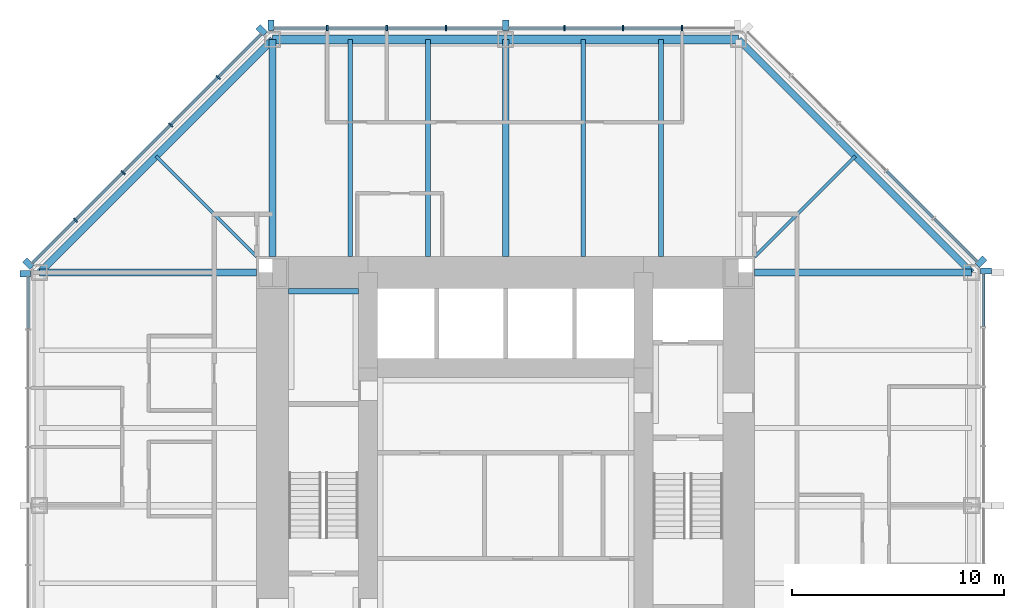
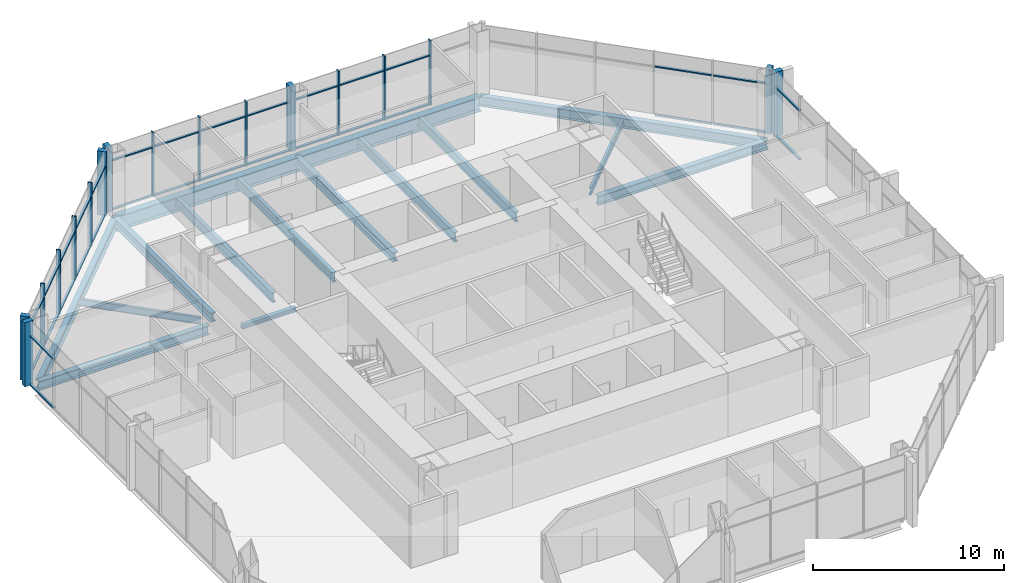
# One storey, part 5 of 12: 49 members, 15 beams, 5 elements without a shape of their own.
"""IFC4 building model written with IfcOpenShell, lengths in metres."""

from ifc_helpers import new_model, si_unit, direction, frame, origin, origin_2d, place, context, subcontext, project, spatial, rectangle, i_section, extrude, material, material_profile, profile_set, type_object, element, aggregate, save


model = new_model("IFC4")

# Units and contexts
model_context = context("Model", 3, precision=1e-05, world=origin(), true_north=direction((0.0, 1.0)))
body_context = subcontext(model_context, "Body", "Model", "MODEL_VIEW")
ifc_project = project(units=[si_unit("LENGTHUNIT", "METRE"), si_unit("AREAUNIT", "SQUARE_METRE"), si_unit("VOLUMEUNIT", "CUBIC_METRE"), si_unit("PLANEANGLEUNIT", "RADIAN"), si_unit("MASSUNIT", "GRAM", prefix="KILO")], contexts=[model_context])

# Site, building, storey
site_placement = place(None, origin())
site = spatial("IfcSite", under=ifc_project, at=site_placement, CompositionType="ELEMENT")
building_placement = place(site_placement, origin())
building = spatial("IfcBuilding", under=site, at=building_placement, Name="Trevanion Tower", CompositionType="ELEMENT")
storey_placement = place(building_placement, frame((0.0, 0.0, 145.89990234375)))
storey = spatial("IfcBuildingStorey", under=building, at=storey_placement, Name="L34", CompositionType="ELEMENT", Elevation=145.89990234375)

# Beams
ifc_material_1 = material(Name="Steel ASTM A992 Grade 50", Category="steel")
ifc_material_profile_1 = material_profile(ifc_material_1, i_section(OverallWidth=0.22900390625, OverallDepth=0.612060546875, WebThickness=0.011962890625, FlangeThickness=0.01953125, at=origin_2d()), Name="W24X84")
ifc_profile_set_1 = profile_set([ifc_material_profile_1], Name="Steel ASTM A992 Grade 50")
beam_type_1 = type_object("IfcBeamType", Name="B7 W24X84", PredefinedType="BEAM", material=ifc_profile_set_1)
for number, where, z_axis, x_axis, name in (
    (1, (7.333251953125, 11.75, -0.49609375), (0.0, 1.0, 0.0), (-1.0, 0.0, 0.0), "B7 L34"),
    (2, (3.666748046875, 11.75, -0.49609375), (0.0, 1.0, 0.0), (-1.0, 0.0, 0.0), "B7 L34"),
    (3, (-3.666748046875, 11.75, -0.49609375), (0.0, 1.0, 0.0), (-1.0, 0.0, 0.0), "B7 L34"),
    (4, (-7.333251953125, 11.75, -0.49609375), (0.0, 1.0, 0.0), (-1.0, 0.0, 0.0), "B7 L34"),
):
    element("IfcBeam", number, at=place(storey_placement, frame(where, z_axis=z_axis, x_axis=x_axis)), inside=storey, type_object=beam_type_1, Name=name, PredefinedType="BEAM", context=body_context, shape_type="SweptSolid", body=[
        extrude(i_section(OverallWidth=0.22900390625, OverallDepth=0.612060546875, WebThickness=0.011962890625, FlangeThickness=0.01953125, at=origin_2d()), origin(), (0.0, 0.0, 1.0), 10.25),
    ])
ifc_material_2 = material(Name="Steel ASTM A992 Grade 50", Category="steel")
ifc_material_profile_2 = material_profile(ifc_material_2, i_section(OverallWidth=0.15234375, OverallDepth=0.449462890625, WebThickness=0.007568359375, FlangeThickness=0.0107421875, at=origin_2d()), Name="W18X35")
ifc_profile_set_2 = profile_set([ifc_material_profile_2], Name="Steel ASTM A992 Grade 50")
beam_type_2 = type_object("IfcBeamType", Name="B8 W18X35", PredefinedType="BEAM", material=ifc_profile_set_2)
for number, where, z_axis, x_axis, name in (
    (5, (11.75, 11.75, -0.414794921875), (0.707106781187, 0.707106781187, 0.0), (-0.707106781187, 0.707106781187, 0.0), "B8 L34"),
    (6, (-11.75, 11.75, -0.414794921875), (-0.707106781187, 0.707106781187, 0.0), (-0.707106781187, -0.707106781187, 0.0), "B8 L34"),
):
    element("IfcBeam", number, at=place(storey_placement, frame(where, z_axis=z_axis, x_axis=x_axis)), inside=storey, type_object=beam_type_2, Name=name, PredefinedType="BEAM", context=body_context, shape_type="SweptSolid", body=[
        extrude(i_section(OverallWidth=0.15234375, OverallDepth=0.449462890625, WebThickness=0.007568359375, FlangeThickness=0.0107421875, at=origin_2d()), origin(), (0.0, 0.0, 1.0), 6.717529296875),
    ])

# Curtain wall, members
ifc_material_3 = material(Name="Aluminium and glass", Category="aluminium")
curtain_wall_type = type_object("IfcCurtainWallType", Name="CW2 curtain wall", PredefinedType="USERDEFINED", material=ifc_material_3)
curtain_wall_1_placement = place(storey_placement, origin())
curtain_wall_1 = element("IfcCurtainWall", 7, at=curtain_wall_1_placement, inside=storey, type_object=curtain_wall_type, Name="CW2 L34 2", ObjectType="UNITISED CURTAIN WALL", PredefinedType="USERDEFINED")
ifc_material_4 = material(Name="Aluminium extrusion, anodised bronze", Category="aluminium")
ifc_material_profile_3 = material_profile(ifc_material_4, rectangle(XDim=0.074951171875, YDim=0.25, at=origin_2d()), Name="CW2 mullion")
ifc_profile_set_3 = profile_set([ifc_material_profile_3], Name="Aluminium extrusion, anodised bronze")
member_type_1 = type_object("IfcMemberType", Name="CW2 mullion", PredefinedType="MULLION", material=ifc_profile_set_3)
member_1_placement = place(storey_placement, frame((8.323486328125, 22.550048828125, -0.18994140625), z_axis=(0.0, 0.0, 1.0), x_axis=(-1.0, 0.0, 0.0)))
member_1 = element("IfcMember", 8, at=member_1_placement, type_object=member_type_1, Name="CW2 mullion 2", PredefinedType="MULLION", context=body_context, shape_type="SweptSolid", body=[
    extrude(rectangle(XDim=0.074951171875, YDim=0.25, at=origin_2d()), origin(), (0.0, 0.0, 1.0), 4.10009765625),
])
member_2_placement = place(storey_placement, frame((5.548828125, 22.550048828125, -0.18994140625), z_axis=(0.0, 0.0, 1.0), x_axis=(-1.0, 0.0, 0.0)))
member_2 = element("IfcMember", 9, at=member_2_placement, type_object=member_type_1, Name="CW2 mullion 3", PredefinedType="MULLION", context=body_context, shape_type="SweptSolid", body=[
    extrude(rectangle(XDim=0.074951171875, YDim=0.25, at=origin_2d()), origin(), (0.0, 0.0, 1.0), 4.10009765625),
])
member_3_placement = place(storey_placement, frame((2.7744140625, 22.550048828125, -0.18994140625), z_axis=(0.0, 0.0, 1.0), x_axis=(-1.0, 0.0, 0.0)))
member_3 = element("IfcMember", 10, at=member_3_placement, type_object=member_type_1, Name="CW2 mullion 4", PredefinedType="MULLION", context=body_context, shape_type="SweptSolid", body=[
    extrude(rectangle(XDim=0.074951171875, YDim=0.25, at=origin_2d()), origin(), (0.0, 0.0, 1.0), 4.10009765625),
])
member_4_placement = place(storey_placement, frame((-2.806884765625, 22.550048828125, -0.18994140625), z_axis=(0.0, 0.0, 1.0), x_axis=(-1.0, 0.0, 0.0)))
member_4 = element("IfcMember", 11, at=member_4_placement, type_object=member_type_1, Name="CW2 mullion 6", PredefinedType="MULLION", context=body_context, shape_type="SweptSolid", body=[
    extrude(rectangle(XDim=0.074951171875, YDim=0.25, at=origin_2d()), origin(), (0.0, 0.0, 1.0), 4.10009765625),
])
member_5_placement = place(storey_placement, frame((-5.614013671875, 22.550048828125, -0.18994140625), z_axis=(0.0, 0.0, 1.0), x_axis=(-1.0, 0.0, 0.0)))
member_5 = element("IfcMember", 12, at=member_5_placement, type_object=member_type_1, Name="CW2 mullion 7", PredefinedType="MULLION", context=body_context, shape_type="SweptSolid", body=[
    extrude(rectangle(XDim=0.074951171875, YDim=0.25, at=origin_2d()), origin(), (0.0, 0.0, 1.0), 4.10009765625),
])
member_6_placement = place(storey_placement, frame((-8.4208984375, 22.550048828125, -0.18994140625), z_axis=(0.0, 0.0, 1.0), x_axis=(-1.0, 0.0, 0.0)))
member_6 = element("IfcMember", 13, at=member_6_placement, type_object=member_type_1, Name="CW2 mullion 8", PredefinedType="MULLION", context=body_context, shape_type="SweptSolid", body=[
    extrude(rectangle(XDim=0.074951171875, YDim=0.25, at=origin_2d()), origin(), (0.0, 0.0, 1.0), 4.10009765625),
])

curtain_wall_2_placement = place(storey_placement, origin())
curtain_wall_2 = element("IfcCurtainWall", 14, at=curtain_wall_2_placement, inside=storey, type_object=curtain_wall_type, Name="CW2 L34 3", ObjectType="UNITISED CURTAIN WALL", PredefinedType="USERDEFINED")
member_7_placement = place(storey_placement, frame((-13.56591796875, 20.2119140625, -0.18994140625), z_axis=(0.0, 0.0, 1.0), x_axis=(-0.707106781187, -0.707106781187, 0.0)))
member_7 = element("IfcMember", 15, at=member_7_placement, type_object=member_type_1, Name="CW2 mullion 2", PredefinedType="MULLION", context=body_context, shape_type="SweptSolid", body=[
    extrude(rectangle(XDim=0.074951171875, YDim=0.25, at=origin_2d()), origin(), (0.0, 0.0, 1.0), 4.10009765625),
])
member_8_placement = place(storey_placement, frame((-15.811767578125, 17.966064453125, -0.18994140625), z_axis=(0.0, 0.0, 1.0), x_axis=(-0.707106781187, -0.707106781187, 0.0)))
member_8 = element("IfcMember", 16, at=member_8_placement, type_object=member_type_1, Name="CW2 mullion 3", PredefinedType="MULLION", context=body_context, shape_type="SweptSolid", body=[
    extrude(rectangle(XDim=0.074951171875, YDim=0.25, at=origin_2d()), origin(), (0.0, 0.0, 1.0), 4.10009765625),
])
member_9_placement = place(storey_placement, frame((-18.057861328125, 15.719970703125, -0.18994140625), z_axis=(0.0, 0.0, 1.0), x_axis=(-0.707106781187, -0.707106781187, 0.0)))
member_9 = element("IfcMember", 17, at=member_9_placement, type_object=member_type_1, Name="CW2 mullion 4", PredefinedType="MULLION", context=body_context, shape_type="SweptSolid", body=[
    extrude(rectangle(XDim=0.074951171875, YDim=0.25, at=origin_2d()), origin(), (0.0, 0.0, 1.0), 4.10009765625),
])
member_10_placement = place(storey_placement, frame((-20.303955078125, 13.473876953125, -0.18994140625), z_axis=(0.0, 0.0, 1.0), x_axis=(-0.707106781187, -0.707106781187, 0.0)))
member_10 = element("IfcMember", 18, at=member_10_placement, type_object=member_type_1, Name="CW2 mullion 5", PredefinedType="MULLION", context=body_context, shape_type="SweptSolid", body=[
    extrude(rectangle(XDim=0.074951171875, YDim=0.25, at=origin_2d()), origin(), (0.0, 0.0, 1.0), 4.10009765625),
])

# Curtain wall, member
curtain_wall_3_placement = place(storey_placement, origin())
curtain_wall_3 = element("IfcCurtainWall", 19, at=curtain_wall_3_placement, inside=storey, type_object=curtain_wall_type, Name="CW2 L34 0", ObjectType="UNITISED CURTAIN WALL", PredefinedType="USERDEFINED")
ifc_material_5 = material(Name="Aluminium extrusion, anodised bronze", Category="aluminium")
ifc_material_profile_4 = material_profile(ifc_material_5, rectangle(XDim=0.300048828125, YDim=0.5, at=origin_2d()), Name="CW2 pier mullion")
ifc_profile_set_4 = profile_set([ifc_material_profile_4], Name="Aluminium extrusion, anodised bronze")
member_type_2 = type_object("IfcMemberType", Name="CW2 pier mullion", PredefinedType="MULLION", material=ifc_profile_set_4)
member_11_placement = place(storey_placement, frame((22.675048828125, 11.077880859375, -0.18994140625), z_axis=(0.0, 0.0, 1.0), x_axis=(0.0, 1.0, 0.0)))
member_11 = element("IfcMember", 20, at=member_11_placement, type_object=member_type_2, Name="CW2 pier mullion 9", PredefinedType="MULLION", context=body_context, shape_type="SweptSolid", body=[
    extrude(rectangle(XDim=0.300048828125, YDim=0.5, at=origin_2d()), origin(), (0.0, 0.0, 1.0), 4.10009765625),
])

curtain_wall_4_placement = place(storey_placement, origin())
curtain_wall_4 = element("IfcCurtainWall", 21, at=curtain_wall_4_placement, inside=storey, type_object=curtain_wall_type, Name="CW2 L34 1", ObjectType="UNITISED CURTAIN WALL", PredefinedType="USERDEFINED")
member_12_placement = place(storey_placement, frame((22.4404296875, 11.51416015625, -0.18994140625), z_axis=(0.0, 0.0, 1.0), x_axis=(-0.707106781187, 0.707106781187, 0.0)))
member_12 = element("IfcMember", 22, at=member_12_placement, type_object=member_type_2, Name="CW2 pier mullion 1", PredefinedType="MULLION", context=body_context, shape_type="SweptSolid", body=[
    extrude(rectangle(XDim=0.300048828125, YDim=0.5, at=origin_2d()), origin(), (0.0, 0.0, 1.0), 4.10009765625),
])

# Member
member_13_placement = place(storey_placement, frame((0.0, 22.675048828125, -0.18994140625), z_axis=(0.0, 0.0, 1.0), x_axis=(-1.0, 0.0, 0.0)))
member_13 = element("IfcMember", 23, at=member_13_placement, type_object=member_type_2, Name="CW2 pier mullion 5", PredefinedType="MULLION", context=body_context, shape_type="SweptSolid", body=[
    extrude(rectangle(XDim=0.300048828125, YDim=0.5, at=origin_2d()), origin(), (0.0, 0.0, 1.0), 4.10009765625),
])

member_14_placement = place(storey_placement, frame((-11.077880859375, 22.675048828125, -0.18994140625), z_axis=(0.0, 0.0, 1.0), x_axis=(-1.0, 0.0, 0.0)))
member_14 = element("IfcMember", 24, at=member_14_placement, type_object=member_type_2, Name="CW2 pier mullion 9", PredefinedType="MULLION", context=body_context, shape_type="SweptSolid", body=[
    extrude(rectangle(XDim=0.300048828125, YDim=0.5, at=origin_2d()), origin(), (0.0, 0.0, 1.0), 4.10009765625),
])

member_15_placement = place(storey_placement, frame((-11.51416015625, 22.4404296875, -0.18994140625), z_axis=(0.0, 0.0, 1.0), x_axis=(-0.707106781187, -0.707106781187, 0.0)))
member_15 = element("IfcMember", 25, at=member_15_placement, type_object=member_type_2, Name="CW2 pier mullion 1", PredefinedType="MULLION", context=body_context, shape_type="SweptSolid", body=[
    extrude(rectangle(XDim=0.300048828125, YDim=0.5, at=origin_2d()), origin(), (0.0, 0.0, 1.0), 4.10009765625),
])

member_16_placement = place(storey_placement, frame((-22.5322265625, 11.42236328125, -0.18994140625), z_axis=(0.0, 0.0, 1.0), x_axis=(-0.707106781187, -0.707106781187, 0.0)))
member_16 = element("IfcMember", 26, at=member_16_placement, type_object=member_type_2, Name="CW2 pier mullion 6", PredefinedType="MULLION", context=body_context, shape_type="SweptSolid", body=[
    extrude(rectangle(XDim=0.300048828125, YDim=0.5, at=origin_2d()), origin(), (0.0, 0.0, 1.0), 4.10009765625),
])

# Curtain wall, member
curtain_wall_5_placement = place(storey_placement, origin())
curtain_wall_5 = element("IfcCurtainWall", 27, at=curtain_wall_5_placement, inside=storey, type_object=curtain_wall_type, Name="CW2 L34 4", ObjectType="UNITISED CURTAIN WALL", PredefinedType="USERDEFINED")
member_17_placement = place(storey_placement, frame((-22.675048828125, 10.94775390625, -0.18994140625), z_axis=(0.0, 0.0, 1.0), x_axis=(0.0, -1.0, 0.0)))
member_17 = element("IfcMember", 28, at=member_17_placement, type_object=member_type_2, Name="CW2 pier mullion 1", PredefinedType="MULLION", context=body_context, shape_type="SweptSolid", body=[
    extrude(rectangle(XDim=0.300048828125, YDim=0.5, at=origin_2d()), origin(), (0.0, 0.0, 1.0), 4.10009765625),
])

# Member
ifc_material_6 = material(Name="Aluminium extrusion, anodised bronze", Category="aluminium")
ifc_material_profile_5 = material_profile(ifc_material_6, rectangle(XDim=0.14990234375, YDim=0.074951171875, at=origin_2d()), Name="CW2 transom")
ifc_profile_set_5 = profile_set([ifc_material_profile_5], Name="Aluminium extrusion, anodised bronze")
member_type_3 = type_object("IfcMemberType", Name="CW2 transom", PredefinedType="USERDEFINED", material=ifc_profile_set_5)
member_18_placement = place(storey_placement, frame((22.550048828125, 8.45849609375, -0.15234375), z_axis=(0.0, 1.0, 0.0), x_axis=(-1.0, 0.0, 0.0)))
member_18 = element("IfcMember", 29, at=member_18_placement, type_object=member_type_3, Name="CW2 transom 8.1", ObjectType="TRANSOM", PredefinedType="USERDEFINED", context=body_context, shape_type="SweptSolid", body=[
    extrude(rectangle(XDim=0.14990234375, YDim=0.074951171875, at=origin_2d()), origin(), (0.0, 0.0, 1.0), 2.46923828125),
])

member_19_placement = place(storey_placement, frame((22.550048828125, 8.45849609375, 2.960205078125), z_axis=(0.0, 1.0, 0.0), x_axis=(-1.0, 0.0, 0.0)))
member_19 = element("IfcMember", 30, at=member_19_placement, type_object=member_type_3, Name="CW2 transom 8.2", ObjectType="TRANSOM", PredefinedType="USERDEFINED", context=body_context, shape_type="SweptSolid", body=[
    extrude(rectangle(XDim=0.14990234375, YDim=0.074951171875, at=origin_2d()), origin(), (0.0, 0.0, 1.0), 2.46923828125),
])

aggregate(curtain_wall_3, [member_11, member_18, member_19])

member_20_placement = place(storey_placement, frame((22.245849609375, 11.531982421875, -0.15234375), z_axis=(-0.707106781187, 0.707106781187, 0.0), x_axis=(-0.707106781187, -0.707106781187, 0.0)))
member_20 = element("IfcMember", 31, at=member_20_placement, type_object=member_type_3, Name="CW2 transom 1.1", ObjectType="TRANSOM", PredefinedType="USERDEFINED", context=body_context, shape_type="SweptSolid", body=[
    extrude(rectangle(XDim=0.14990234375, YDim=0.074951171875, at=origin_2d()), origin(), (0.0, 0.0, 1.0), 2.8388671875),
])

member_21_placement = place(storey_placement, frame((22.245849609375, 11.531982421875, 2.960205078125), z_axis=(-0.707106781187, 0.707106781187, 0.0), x_axis=(-0.707106781187, -0.707106781187, 0.0)))
member_21 = element("IfcMember", 32, at=member_21_placement, type_object=member_type_3, Name="CW2 transom 1.2", ObjectType="TRANSOM", PredefinedType="USERDEFINED", context=body_context, shape_type="SweptSolid", body=[
    extrude(rectangle(XDim=0.14990234375, YDim=0.074951171875, at=origin_2d()), origin(), (0.0, 0.0, 1.0), 2.8388671875),
])

member_22_placement = place(storey_placement, frame((20.185546875, 13.59228515625, -0.15234375), z_axis=(-0.707106781187, 0.707106781187, 0.0), x_axis=(-0.707106781187, -0.707106781187, 0.0)))
member_22 = element("IfcMember", 33, at=member_22_placement, type_object=member_type_3, Name="CW2 transom 2.1", ObjectType="TRANSOM", PredefinedType="USERDEFINED", context=body_context, shape_type="SweptSolid", body=[
    extrude(rectangle(XDim=0.14990234375, YDim=0.074951171875, at=origin_2d()), origin(), (0.0, 0.0, 1.0), 3.1015625),
])

member_23_placement = place(storey_placement, frame((20.185546875, 13.59228515625, 2.960205078125), z_axis=(-0.707106781187, 0.707106781187, 0.0), x_axis=(-0.707106781187, -0.707106781187, 0.0)))
member_23 = element("IfcMember", 34, at=member_23_placement, type_object=member_type_3, Name="CW2 transom 2.2", ObjectType="TRANSOM", PredefinedType="USERDEFINED", context=body_context, shape_type="SweptSolid", body=[
    extrude(rectangle(XDim=0.14990234375, YDim=0.074951171875, at=origin_2d()), origin(), (0.0, 0.0, 1.0), 3.1015625),
])

aggregate(curtain_wall_4, [member_12, member_20, member_21, member_22, member_23])

member_24_placement = place(storey_placement, frame((8.285888671875, 22.550048828125, -0.15234375), z_axis=(-1.0, 0.0, 0.0), x_axis=(0.0, -1.0, 0.0)))
member_24 = element("IfcMember", 35, at=member_24_placement, type_object=member_type_3, Name="CW2 transom 2.1", ObjectType="TRANSOM", PredefinedType="USERDEFINED", context=body_context, shape_type="SweptSolid", body=[
    extrude(rectangle(XDim=0.14990234375, YDim=0.074951171875, at=origin_2d()), origin(), (0.0, 0.0, 1.0), 2.699462890625),
])

member_25_placement = place(storey_placement, frame((8.285888671875, 22.550048828125, 2.960205078125), z_axis=(-1.0, 0.0, 0.0), x_axis=(0.0, -1.0, 0.0)))
member_25 = element("IfcMember", 36, at=member_25_placement, type_object=member_type_3, Name="CW2 transom 2.2", ObjectType="TRANSOM", PredefinedType="USERDEFINED", context=body_context, shape_type="SweptSolid", body=[
    extrude(rectangle(XDim=0.14990234375, YDim=0.074951171875, at=origin_2d()), origin(), (0.0, 0.0, 1.0), 2.699462890625),
])

member_26_placement = place(storey_placement, frame((5.511474609375, 22.550048828125, -0.15234375), z_axis=(-1.0, 0.0, 0.0), x_axis=(0.0, -1.0, 0.0)))
member_26 = element("IfcMember", 37, at=member_26_placement, type_object=member_type_3, Name="CW2 transom 3.1", ObjectType="TRANSOM", PredefinedType="USERDEFINED", context=body_context, shape_type="SweptSolid", body=[
    extrude(rectangle(XDim=0.14990234375, YDim=0.074951171875, at=origin_2d()), origin(), (0.0, 0.0, 1.0), 2.699462890625),
])

member_27_placement = place(storey_placement, frame((5.511474609375, 22.550048828125, 2.960205078125), z_axis=(-1.0, 0.0, 0.0), x_axis=(0.0, -1.0, 0.0)))
member_27 = element("IfcMember", 38, at=member_27_placement, type_object=member_type_3, Name="CW2 transom 3.2", ObjectType="TRANSOM", PredefinedType="USERDEFINED", context=body_context, shape_type="SweptSolid", body=[
    extrude(rectangle(XDim=0.14990234375, YDim=0.074951171875, at=origin_2d()), origin(), (0.0, 0.0, 1.0), 2.699462890625),
])

member_28_placement = place(storey_placement, frame((2.737060546875, 22.550048828125, -0.15234375), z_axis=(-1.0, 0.0, 0.0), x_axis=(0.0, -1.0, 0.0)))
member_28 = element("IfcMember", 39, at=member_28_placement, type_object=member_type_3, Name="CW2 transom 4.1", ObjectType="TRANSOM", PredefinedType="USERDEFINED", context=body_context, shape_type="SweptSolid", body=[
    extrude(rectangle(XDim=0.14990234375, YDim=0.074951171875, at=origin_2d()), origin(), (0.0, 0.0, 1.0), 2.587158203125),
])

member_29_placement = place(storey_placement, frame((2.737060546875, 22.550048828125, 2.960205078125), z_axis=(-1.0, 0.0, 0.0), x_axis=(0.0, -1.0, 0.0)))
member_29 = element("IfcMember", 40, at=member_29_placement, type_object=member_type_3, Name="CW2 transom 4.2", ObjectType="TRANSOM", PredefinedType="USERDEFINED", context=body_context, shape_type="SweptSolid", body=[
    extrude(rectangle(XDim=0.14990234375, YDim=0.074951171875, at=origin_2d()), origin(), (0.0, 0.0, 1.0), 2.587158203125),
])

member_30_placement = place(storey_placement, frame((-0.14990234375, 22.550048828125, -0.15234375), z_axis=(-1.0, 0.0, 0.0), x_axis=(0.0, -1.0, 0.0)))
member_30 = element("IfcMember", 41, at=member_30_placement, type_object=member_type_3, Name="CW2 transom 5.1", ObjectType="TRANSOM", PredefinedType="USERDEFINED", context=body_context, shape_type="SweptSolid", body=[
    extrude(rectangle(XDim=0.14990234375, YDim=0.074951171875, at=origin_2d()), origin(), (0.0, 0.0, 1.0), 2.619384765625),
])

member_31_placement = place(storey_placement, frame((-0.14990234375, 22.550048828125, 2.960205078125), z_axis=(-1.0, 0.0, 0.0), x_axis=(0.0, -1.0, 0.0)))
member_31 = element("IfcMember", 42, at=member_31_placement, type_object=member_type_3, Name="CW2 transom 5.2", ObjectType="TRANSOM", PredefinedType="USERDEFINED", context=body_context, shape_type="SweptSolid", body=[
    extrude(rectangle(XDim=0.14990234375, YDim=0.074951171875, at=origin_2d()), origin(), (0.0, 0.0, 1.0), 2.619384765625),
])

member_32_placement = place(storey_placement, frame((-2.844482421875, 22.550048828125, -0.15234375), z_axis=(-1.0, 0.0, 0.0), x_axis=(0.0, -1.0, 0.0)))
member_32 = element("IfcMember", 43, at=member_32_placement, type_object=member_type_3, Name="CW2 transom 6.1", ObjectType="TRANSOM", PredefinedType="USERDEFINED", context=body_context, shape_type="SweptSolid", body=[
    extrude(rectangle(XDim=0.14990234375, YDim=0.074951171875, at=origin_2d()), origin(), (0.0, 0.0, 1.0), 2.73193359375),
])

member_33_placement = place(storey_placement, frame((-2.844482421875, 22.550048828125, 2.960205078125), z_axis=(-1.0, 0.0, 0.0), x_axis=(0.0, -1.0, 0.0)))
member_33 = element("IfcMember", 44, at=member_33_placement, type_object=member_type_3, Name="CW2 transom 6.2", ObjectType="TRANSOM", PredefinedType="USERDEFINED", context=body_context, shape_type="SweptSolid", body=[
    extrude(rectangle(XDim=0.14990234375, YDim=0.074951171875, at=origin_2d()), origin(), (0.0, 0.0, 1.0), 2.73193359375),
])

member_34_placement = place(storey_placement, frame((-5.6513671875, 22.550048828125, -0.15234375), z_axis=(-1.0, 0.0, 0.0), x_axis=(0.0, -1.0, 0.0)))
member_34 = element("IfcMember", 45, at=member_34_placement, type_object=member_type_3, Name="CW2 transom 7.1", ObjectType="TRANSOM", PredefinedType="USERDEFINED", context=body_context, shape_type="SweptSolid", body=[
    extrude(rectangle(XDim=0.14990234375, YDim=0.074951171875, at=origin_2d()), origin(), (0.0, 0.0, 1.0), 2.73193359375),
])

member_35_placement = place(storey_placement, frame((-5.6513671875, 22.550048828125, 2.960205078125), z_axis=(-1.0, 0.0, 0.0), x_axis=(0.0, -1.0, 0.0)))
member_35 = element("IfcMember", 46, at=member_35_placement, type_object=member_type_3, Name="CW2 transom 7.2", ObjectType="TRANSOM", PredefinedType="USERDEFINED", context=body_context, shape_type="SweptSolid", body=[
    extrude(rectangle(XDim=0.14990234375, YDim=0.074951171875, at=origin_2d()), origin(), (0.0, 0.0, 1.0), 2.73193359375),
])

member_36_placement = place(storey_placement, frame((-8.45849609375, 22.550048828125, -0.15234375), z_axis=(-1.0, 0.0, 0.0), x_axis=(0.0, -1.0, 0.0)))
member_36 = element("IfcMember", 47, at=member_36_placement, type_object=member_type_3, Name="CW2 transom 8.1", ObjectType="TRANSOM", PredefinedType="USERDEFINED", context=body_context, shape_type="SweptSolid", body=[
    extrude(rectangle(XDim=0.14990234375, YDim=0.074951171875, at=origin_2d()), origin(), (0.0, 0.0, 1.0), 2.46923828125),
])

member_37_placement = place(storey_placement, frame((-8.45849609375, 22.550048828125, 2.960205078125), z_axis=(-1.0, 0.0, 0.0), x_axis=(0.0, -1.0, 0.0)))
member_37 = element("IfcMember", 48, at=member_37_placement, type_object=member_type_3, Name="CW2 transom 8.2", ObjectType="TRANSOM", PredefinedType="USERDEFINED", context=body_context, shape_type="SweptSolid", body=[
    extrude(rectangle(XDim=0.14990234375, YDim=0.074951171875, at=origin_2d()), origin(), (0.0, 0.0, 1.0), 2.46923828125),
])

aggregate(curtain_wall_1, [member_1, member_2, member_3, member_13, member_4, member_5, member_6, member_14, member_24, member_25, member_26, member_27, member_28, member_29, member_30, member_31, member_32, member_33, member_34, member_35, member_36, member_37])

member_38_placement = place(storey_placement, frame((-11.531982421875, 22.245849609375, -0.15234375), z_axis=(-0.707106781187, -0.707106781187, 0.0), x_axis=(0.707106781187, -0.707106781187, 0.0)))
member_38 = element("IfcMember", 49, at=member_38_placement, type_object=member_type_3, Name="CW2 transom 1.1", ObjectType="TRANSOM", PredefinedType="USERDEFINED", context=body_context, shape_type="SweptSolid", body=[
    extrude(rectangle(XDim=0.14990234375, YDim=0.074951171875, at=origin_2d()), origin(), (0.0, 0.0, 1.0), 2.8388671875),
])

member_39_placement = place(storey_placement, frame((-11.531982421875, 22.245849609375, 2.960205078125), z_axis=(-0.707106781187, -0.707106781187, 0.0), x_axis=(0.707106781187, -0.707106781187, 0.0)))
member_39 = element("IfcMember", 50, at=member_39_placement, type_object=member_type_3, Name="CW2 transom 1.2", ObjectType="TRANSOM", PredefinedType="USERDEFINED", context=body_context, shape_type="SweptSolid", body=[
    extrude(rectangle(XDim=0.14990234375, YDim=0.074951171875, at=origin_2d()), origin(), (0.0, 0.0, 1.0), 2.8388671875),
])

member_40_placement = place(storey_placement, frame((-13.59228515625, 20.185546875, -0.15234375), z_axis=(-0.707106781187, -0.707106781187, 0.0), x_axis=(0.707106781187, -0.707106781187, 0.0)))
member_40 = element("IfcMember", 51, at=member_40_placement, type_object=member_type_3, Name="CW2 transom 2.1", ObjectType="TRANSOM", PredefinedType="USERDEFINED", context=body_context, shape_type="SweptSolid", body=[
    extrude(rectangle(XDim=0.14990234375, YDim=0.074951171875, at=origin_2d()), origin(), (0.0, 0.0, 1.0), 3.1015625),
])

member_41_placement = place(storey_placement, frame((-13.59228515625, 20.185546875, 2.960205078125), z_axis=(-0.707106781187, -0.707106781187, 0.0), x_axis=(0.707106781187, -0.707106781187, 0.0)))
member_41 = element("IfcMember", 52, at=member_41_placement, type_object=member_type_3, Name="CW2 transom 2.2", ObjectType="TRANSOM", PredefinedType="USERDEFINED", context=body_context, shape_type="SweptSolid", body=[
    extrude(rectangle(XDim=0.14990234375, YDim=0.074951171875, at=origin_2d()), origin(), (0.0, 0.0, 1.0), 3.1015625),
])

member_42_placement = place(storey_placement, frame((-15.83837890625, 17.939453125, -0.15234375), z_axis=(-0.707106781187, -0.707106781187, 0.0), x_axis=(0.707106781187, -0.707106781187, 0.0)))
member_42 = element("IfcMember", 53, at=member_42_placement, type_object=member_type_3, Name="CW2 transom 3.1", ObjectType="TRANSOM", PredefinedType="USERDEFINED", context=body_context, shape_type="SweptSolid", body=[
    extrude(rectangle(XDim=0.14990234375, YDim=0.074951171875, at=origin_2d()), origin(), (0.0, 0.0, 1.0), 3.1015625),
])

member_43_placement = place(storey_placement, frame((-15.83837890625, 17.939453125, 2.960205078125), z_axis=(-0.707106781187, -0.707106781187, 0.0), x_axis=(0.707106781187, -0.707106781187, 0.0)))
member_43 = element("IfcMember", 54, at=member_43_placement, type_object=member_type_3, Name="CW2 transom 3.2", ObjectType="TRANSOM", PredefinedType="USERDEFINED", context=body_context, shape_type="SweptSolid", body=[
    extrude(rectangle(XDim=0.14990234375, YDim=0.074951171875, at=origin_2d()), origin(), (0.0, 0.0, 1.0), 3.1015625),
])

member_44_placement = place(storey_placement, frame((-18.08447265625, 15.693359375, -0.15234375), z_axis=(-0.707106781187, -0.707106781187, 0.0), x_axis=(0.707106781187, -0.707106781187, 0.0)))
member_44 = element("IfcMember", 55, at=member_44_placement, type_object=member_type_3, Name="CW2 transom 4.1", ObjectType="TRANSOM", PredefinedType="USERDEFINED", context=body_context, shape_type="SweptSolid", body=[
    extrude(rectangle(XDim=0.14990234375, YDim=0.074951171875, at=origin_2d()), origin(), (0.0, 0.0, 1.0), 3.10107421875),
])

member_45_placement = place(storey_placement, frame((-18.08447265625, 15.693359375, 2.960205078125), z_axis=(-0.707106781187, -0.707106781187, 0.0), x_axis=(0.707106781187, -0.707106781187, 0.0)))
member_45 = element("IfcMember", 56, at=member_45_placement, type_object=member_type_3, Name="CW2 transom 4.2", ObjectType="TRANSOM", PredefinedType="USERDEFINED", context=body_context, shape_type="SweptSolid", body=[
    extrude(rectangle(XDim=0.14990234375, YDim=0.074951171875, at=origin_2d()), origin(), (0.0, 0.0, 1.0), 3.10107421875),
])

member_46_placement = place(storey_placement, frame((-20.33056640625, 13.447509765625, -0.15234375), z_axis=(-0.707063781595, -0.707149778163, 0.0), x_axis=(0.707149778163, -0.707063781595, 0.0)))
member_46 = element("IfcMember", 57, at=member_46_placement, type_object=member_type_3, Name="CW2 transom 5.1", ObjectType="TRANSOM", PredefinedType="USERDEFINED", context=body_context, shape_type="SweptSolid", body=[
    extrude(rectangle(XDim=0.14990234375, YDim=0.074951171875, at=origin_2d()), origin(), (0.0, 0.0, 1.0), 2.8388671875),
])

member_47_placement = place(storey_placement, frame((-20.33056640625, 13.447509765625, 2.960205078125), z_axis=(-0.707063781595, -0.707149778163, 0.0), x_axis=(0.707149778163, -0.707063781595, 0.0)))
member_47 = element("IfcMember", 58, at=member_47_placement, type_object=member_type_3, Name="CW2 transom 5.2", ObjectType="TRANSOM", PredefinedType="USERDEFINED", context=body_context, shape_type="SweptSolid", body=[
    extrude(rectangle(XDim=0.14990234375, YDim=0.074951171875, at=origin_2d()), origin(), (0.0, 0.0, 1.0), 2.8388671875),
])

aggregate(curtain_wall_2, [member_15, member_7, member_8, member_9, member_10, member_16, member_38, member_39, member_40, member_41, member_42, member_43, member_44, member_45, member_46, member_47])

member_48_placement = place(storey_placement, frame((-22.550048828125, 10.7978515625, -0.15234375), z_axis=(0.0, -1.0, 0.0), x_axis=(1.0, 0.0, 0.0)))
member_48 = element("IfcMember", 59, at=member_48_placement, type_object=member_type_3, Name="CW2 transom 1.1", ObjectType="TRANSOM", PredefinedType="USERDEFINED", context=body_context, shape_type="SweptSolid", body=[
    extrude(rectangle(XDim=0.14990234375, YDim=0.074951171875, at=origin_2d()), origin(), (0.0, 0.0, 1.0), 2.43701171875),
])

member_49_placement = place(storey_placement, frame((-22.550048828125, 10.7978515625, 2.960205078125), z_axis=(0.0, -1.0, 0.0), x_axis=(1.0, 0.0, 0.0)))
member_49 = element("IfcMember", 60, at=member_49_placement, type_object=member_type_3, Name="CW2 transom 1.2", ObjectType="TRANSOM", PredefinedType="USERDEFINED", context=body_context, shape_type="SweptSolid", body=[
    extrude(rectangle(XDim=0.14990234375, YDim=0.074951171875, at=origin_2d()), origin(), (0.0, 0.0, 1.0), 2.43701171875),
])

aggregate(curtain_wall_5, [member_17, member_48, member_49])

# Beams
ifc_material_7 = material(Name="Steel ASTM A992 Grade 50", Category="steel")
ifc_material_profile_6 = material_profile(ifc_material_7, i_section(OverallWidth=0.320068359375, OverallDepth=0.584228515625, WebThickness=0.023193359375, FlangeThickness=0.04150390625, at=origin_2d()), Name="W21X201")
ifc_profile_set_6 = profile_set([ifc_material_profile_6], Name="Steel ASTM A992 Grade 50")
beam_type_3 = type_object("IfcBeamType", Name="G4 W21X201", PredefinedType="BEAM", material=ifc_profile_set_6)
for number, where, z_axis, x_axis, name in (
    (61, (11.75, 11.0, -0.48193359375), (1.0, 0.0, 0.0), (0.0, 1.0, 0.0), "G4 L34"),
    (62, (0.0, 11.75, -0.48193359375), (0.0, 1.0, 0.0), (-1.0, 0.0, 0.0), "G4 L34"),
    (63, (-11.0, 11.75, -0.48193359375), (0.0, 1.0, 0.0), (-1.0, 0.0, 0.0), "G4 L34"),
    (64, (-11.75, 11.0, -0.48193359375), (-1.0, 0.0, 0.0), (0.0, -1.0, 0.0), "G4 L34"),
):
    element("IfcBeam", number, at=place(storey_placement, frame(where, z_axis=z_axis, x_axis=x_axis)), inside=storey, type_object=beam_type_3, Name=name, PredefinedType="BEAM", context=body_context, shape_type="SweptSolid", body=[
        extrude(i_section(OverallWidth=0.320068359375, OverallDepth=0.584228515625, WebThickness=0.023193359375, FlangeThickness=0.04150390625, at=origin_2d()), origin(), (0.0, 0.0, 1.0), 10.25),
    ])
ifc_material_8 = material(Name="Steel ASTM A992 Grade 50", Category="steel")
ifc_material_profile_7 = material_profile(ifc_material_8, i_section(OverallWidth=0.256591796875, OverallDepth=0.26416015625, WebThickness=0.011962890625, FlangeThickness=0.01953125, at=origin_2d()), Name="W10X68")
ifc_profile_set_7 = profile_set([ifc_material_profile_7], Name="Steel ASTM A992 Grade 50")
beam_type_4 = type_object("IfcBeamType", Name="LB1 W10X68", PredefinedType="BEAM", material=ifc_profile_set_7)
beam_placement = place(storey_placement, frame((-10.25, 10.12158203125, -0.33203125), z_axis=(1.0, 0.0, 0.0), x_axis=(0.0, 1.0, 0.0)))
element("IfcBeam", 65, at=beam_placement, inside=storey, type_object=beam_type_4, Name="LB1 L34", PredefinedType="BEAM", context=body_context, shape_type="SweptSolid", body=[
    extrude(i_section(OverallWidth=0.256591796875, OverallDepth=0.26416015625, WebThickness=0.011962890625, FlangeThickness=0.01953125, at=origin_2d()), origin(), (0.0, 0.0, 1.0), 3.300048828125),
])
ifc_material_9 = material(Name="Steel ASTM A992 Grade 50", Category="steel")
ifc_material_profile_8 = material_profile(ifc_material_9, i_section(OverallWidth=0.419189453125, OverallDepth=0.927001953125, WebThickness=0.019287109375, FlangeThickness=0.031982421875, at=origin_2d()), Name="W36X231")
ifc_profile_set_8 = profile_set([ifc_material_profile_8], Name="Steel ASTM A992 Grade 50")
beam_type_5 = type_object("IfcBeamType", Name="SB4 W36X231", PredefinedType="SPANDREL", material=ifc_profile_set_8)
for number, where, z_axis, x_axis, name in (
    (66, (11.0, 22.0, -0.6533203125), (-1.0, 0.0, 0.0), (0.0, -1.0, 0.0), "SB4 L34"),
    (67, (0.0, 22.0, -0.6533203125), (-1.0, 0.0, 0.0), (0.0, -1.0, 0.0), "SB4 L34"),
):
    element("IfcBeam", number, at=place(storey_placement, frame(where, z_axis=z_axis, x_axis=x_axis)), inside=storey, type_object=beam_type_5, Name=name, PredefinedType="SPANDREL", context=body_context, shape_type="SweptSolid", body=[
        extrude(i_section(OverallWidth=0.419189453125, OverallDepth=0.927001953125, WebThickness=0.019287109375, FlangeThickness=0.031982421875, at=origin_2d()), origin(), (0.0, 0.0, 1.0), 11.0),
    ])
ifc_material_10 = material(Name="Steel ASTM A992 Grade 50", Category="steel")
ifc_material_profile_9 = material_profile(ifc_material_10, i_section(OverallWidth=0.32763671875, OverallDepth=0.62744140625, WebThickness=0.0166015625, FlangeThickness=0.027587890625, at=origin_2d()), Name="W24X146")
ifc_profile_set_9 = profile_set([ifc_material_profile_9], Name="Steel ASTM A992 Grade 50")
beam_type_6 = type_object("IfcBeamType", Name="SB5 W24X146", PredefinedType="SPANDREL", material=ifc_profile_set_9)
for number, where, z_axis, x_axis, name in (
    (68, (22.0, 11.0, -0.503662109375), (-0.707106781187, 0.707106781187, 0.0), (-0.707106781187, -0.707106781187, 0.0), "SB5 L34"),
    (69, (-11.0, 22.0, -0.503662109375), (-0.707106781187, -0.707106781187, 0.0), (0.707106781187, -0.707106781187, 0.0), "SB5 L34"),
):
    element("IfcBeam", number, at=place(storey_placement, frame(where, z_axis=z_axis, x_axis=x_axis)), inside=storey, type_object=beam_type_6, Name=name, PredefinedType="SPANDREL", context=body_context, shape_type="SweptSolid", body=[
        extrude(i_section(OverallWidth=0.32763671875, OverallDepth=0.62744140625, WebThickness=0.0166015625, FlangeThickness=0.027587890625, at=origin_2d()), origin(), (0.0, 0.0, 1.0), 15.556396484375),
    ])

save(model, "model.ifc")
